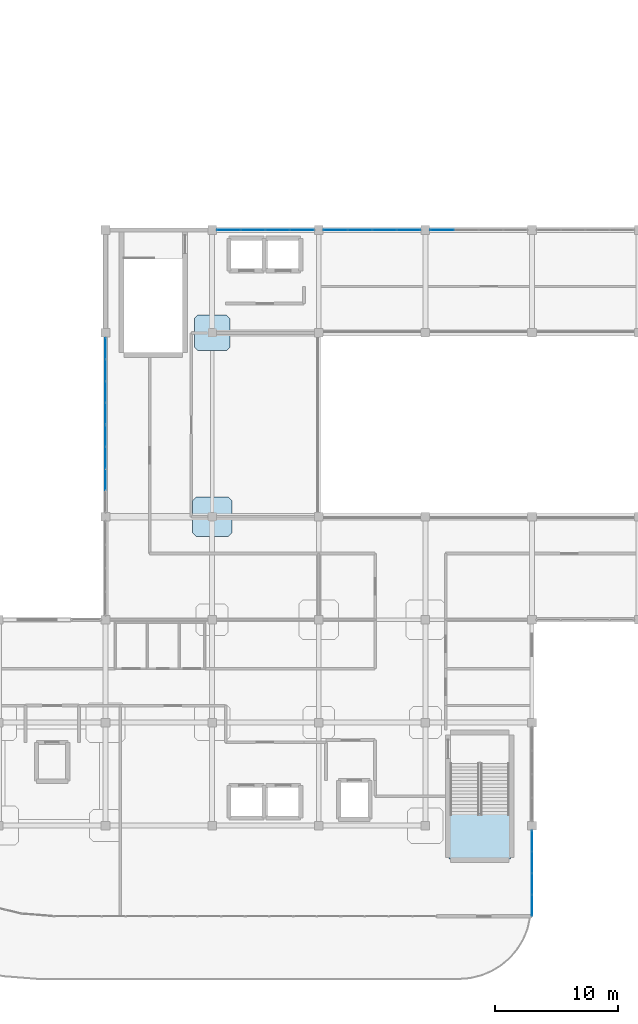
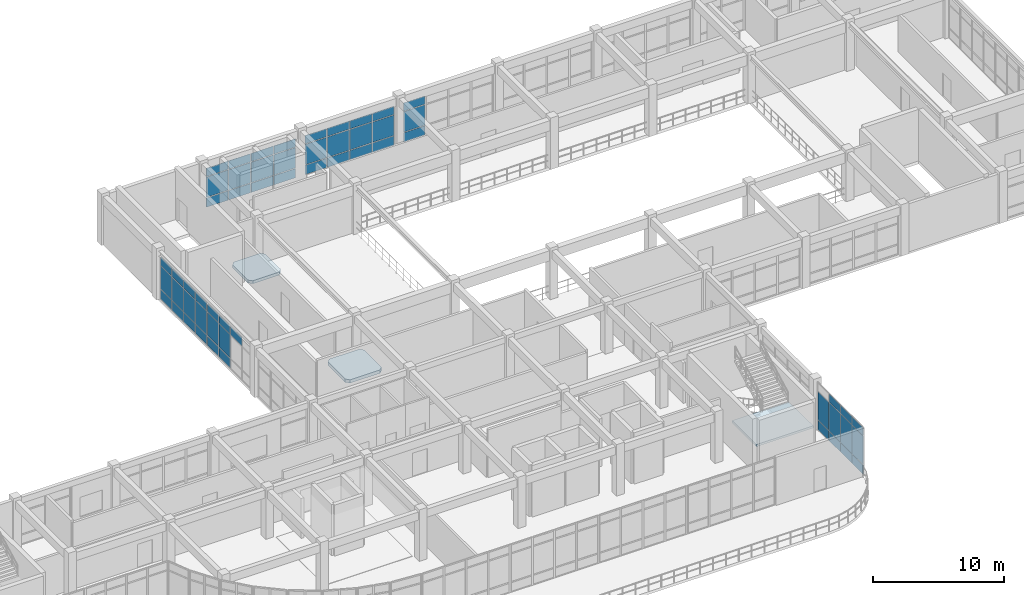
# One storey, part 49 of 64: 57 plates, 3 slabs, 7 elements without a shape of their own.
"""IFC4 building model written with IfcOpenShell, lengths in metres."""

from ifc_helpers import new_model, si_unit, derived_unit, direction, frame, origin, origin_2d, place, context, subcontext, project, spatial, polyline, rectangle, outline, extrude, material, layer, layer_set, type_object, element, aggregate, save


model = new_model("IFC4")

# Units and contexts
model_context = context("Model", 3, precision=1e-05, world=origin(), true_north=direction((0.0, 1.0)))
body_context = subcontext(model_context, "Body", "Model", "MODEL_VIEW")
ifc_project = project(units=[si_unit("LENGTHUNIT", "METRE"), si_unit("AREAUNIT", "SQUARE_METRE"), si_unit("VOLUMEUNIT", "CUBIC_METRE"), si_unit("PLANEANGLEUNIT", "RADIAN"), si_unit("MASSUNIT", "GRAM", prefix="KILO"), derived_unit("THERMALTRANSMITTANCEUNIT", [(si_unit("MASSUNIT", "GRAM", prefix="KILO"), 1), (si_unit("TIMEUNIT", "SECOND"), -3), (si_unit("THERMODYNAMICTEMPERATUREUNIT", "KELVIN"), -1)])], contexts=[model_context])

# Site, building, storey
site_placement = place(None, origin())
site = spatial("IfcSite", under=ifc_project, at=site_placement, CompositionType="ELEMENT")
building_placement = place(site_placement, origin())
building = spatial("IfcBuilding", under=site, at=building_placement, Name="Qinzheling Arcade Emporium", CompositionType="ELEMENT")
storey_placement = place(building_placement, frame((0.0, 0.0, 31.5)))
storey = spatial("IfcBuildingStorey", under=building, at=storey_placement, Name="L07", CompositionType="ELEMENT", Elevation=31.5)

# Slabs
ifc_material_1 = material(Name="Concrete C40", Category="concrete")
ifc_layer_1 = layer(ifc_material_1, 0.27001953125, Name="Concrete C40", Category="concrete")
ifc_layer_set_1 = layer_set([ifc_layer_1], Name="Concrete C40")
slab_type_1 = type_object("IfcSlabType", Name="Column Head Drop Panel 2900x2900x270 C40", PredefinedType="USERDEFINED", material=ifc_layer_set_1)
slab_1_placement = place(storey_placement, frame((0.0, 0.0, -0.550048828125)))
element("IfcSlab", 1, at=slab_1_placement, inside=storey, type_object=slab_type_1, Name="Column Drop Panel DP-L07-6-H", ObjectType="DROP_PANEL", PredefinedType="USERDEFINED", context=body_context, shape_type="SweptSolid", body=[
    extrude(outline(polyline([(42.330078125, 63.949951171875), (44.669921875, 63.949951171875), (44.949951171875, 64.22998046875), (44.949951171875, 66.570068359375), (44.669921875, 66.85009765625), (42.330078125, 66.85009765625), (42.050048828125, 66.570068359375), (42.050048828125, 64.22998046875), (42.330078125, 63.949951171875)])), origin(), (0.0, 0.0, 1.0), 0.27001953125),
])
ifc_layer_2 = layer(ifc_material_1, 0.300048828125, Name="Concrete C40", Category="concrete")
ifc_layer_set_2 = layer_set([ifc_layer_2], Name="Concrete C40")
slab_type_2 = type_object("IfcSlabType", Name="Column Head Drop Panel 3200x3200x300 C40", PredefinedType="USERDEFINED", material=ifc_layer_set_2)
slab_2_placement = place(storey_placement, frame((0.0, 0.0, -0.580078125)))
element("IfcSlab", 2, at=slab_2_placement, inside=storey, type_object=slab_type_2, Name="Column Drop Panel DP-L07-6-G", ObjectType="DROP_PANEL", PredefinedType="USERDEFINED", context=body_context, shape_type="SweptSolid", body=[
    extrude(outline(polyline([(42.179931640625, 48.800048828125), (44.820068359375, 48.800048828125), (45.10009765625, 49.080078125), (45.10009765625, 51.719970703125), (44.820068359375, 52.0), (42.179931640625, 52.0), (41.89990234375, 51.719970703125), (41.89990234375, 49.080078125), (42.179931640625, 48.800048828125)])), origin(), (0.0, 0.0, 1.0), 0.300048828125),
])

# Curtain wall, plates
ifc_material_2 = material(Name="Anodised aluminium and solar-control double glazing", Category="aluminium")
ifc_layer_3 = layer(ifc_material_2, 0.159912109375, Name="Anodised aluminium and solar-control double glazing", Category="aluminium")
ifc_layer_set_3 = layer_set([ifc_layer_3], Name="Anodised aluminium and solar-control double glazing")
curtain_wall_type_1 = type_object("IfcCurtainWallType", Name="Atrium Clerestory Curtain Wall", PredefinedType="NOTDEFINED", material=ifc_layer_set_3)
curtain_wall_1_placement = place(storey_placement, origin())
curtain_wall_1 = element("IfcCurtainWall", 3, at=curtain_wall_1_placement, inside=storey, type_object=curtain_wall_type_1, Name="Curtain Wall CW-L07-415", PredefinedType="NOTDEFINED")
ifc_material_3 = material(Name="Laminated solar-control double glazing", Category="glass")
ifc_layer_4 = layer(ifc_material_3, 0.027099609375, Name="Laminated solar-control double glazing", Category="glass")
ifc_layer_set_4 = layer_set([ifc_layer_4], Name="Laminated solar-control double glazing")
plate_type_1 = type_object("IfcPlateType", Name="Low-E Double Glazed Curtain Panel 27mm", PredefinedType="CURTAIN_PANEL", material=ifc_layer_set_4)
plate_1_placement = place(storey_placement, frame((34.800048828125, 53.431640625, 3.19677734375), z_axis=(0.0, 0.0, 1.0), x_axis=(0.0, 1.0, 0.0)))
plate_1 = element("IfcPlate", 4, at=plate_1_placement, type_object=plate_type_1, Name="CW03 panel 2.3", PredefinedType="CURTAIN_PANEL", context=body_context, shape_type="SweptSolid", body=[
    extrude(rectangle(XDim=1.7265625, YDim=0.027099609375, at=origin_2d()), origin(), (0.0, 0.0, 1.0), 0.760009765625),
])
plate_2_placement = place(storey_placement, frame((34.800048828125, 55.21826171875, 0.06005859375), z_axis=(0.0, 0.0, 1.0), x_axis=(0.0, 1.0, 0.0)))
plate_2 = element("IfcPlate", 5, at=plate_2_placement, type_object=plate_type_1, Name="CW03 panel 3.1", PredefinedType="CURTAIN_PANEL", context=body_context, shape_type="SweptSolid", body=[
    extrude(rectangle(XDim=1.7265625, YDim=0.027099609375, at=origin_2d()), origin(), (0.0, 0.0, 1.0), 0.860107421875),
])
plate_3_placement = place(storey_placement, frame((34.800048828125, 55.21826171875, 0.97998046875), z_axis=(0.0, 0.0, 1.0), x_axis=(0.0, 1.0, 0.0)))
plate_3 = element("IfcPlate", 6, at=plate_3_placement, type_object=plate_type_1, Name="CW03 panel 3.2", PredefinedType="CURTAIN_PANEL", context=body_context, shape_type="SweptSolid", body=[
    extrude(rectangle(XDim=1.7265625, YDim=0.027099609375, at=origin_2d()), origin(), (0.0, 0.0, 1.0), 2.156982421875),
])
plate_4_placement = place(storey_placement, frame((34.800048828125, 55.21826171875, 3.19677734375), z_axis=(0.0, 0.0, 1.0), x_axis=(0.0, 1.0, 0.0)))
plate_4 = element("IfcPlate", 7, at=plate_4_placement, type_object=plate_type_1, Name="CW03 panel 3.3", PredefinedType="CURTAIN_PANEL", context=body_context, shape_type="SweptSolid", body=[
    extrude(rectangle(XDim=1.7265625, YDim=0.027099609375, at=origin_2d()), origin(), (0.0, 0.0, 1.0), 0.760009765625),
])
plate_5_placement = place(storey_placement, frame((34.800048828125, 56.98974609375, 0.06005859375), z_axis=(0.0, 0.0, 1.0), x_axis=(0.0, 1.0, 0.0)))
plate_5 = element("IfcPlate", 8, at=plate_5_placement, type_object=plate_type_1, Name="CW03 panel 4.1", PredefinedType="CURTAIN_PANEL", context=body_context, shape_type="SweptSolid", body=[
    extrude(rectangle(XDim=1.696533203125, YDim=0.027099609375, at=origin_2d()), origin(), (0.0, 0.0, 1.0), 0.860107421875),
])
plate_6_placement = place(storey_placement, frame((34.800048828125, 56.98974609375, 0.97998046875), z_axis=(0.0, 0.0, 1.0), x_axis=(0.0, 1.0, 0.0)))
plate_6 = element("IfcPlate", 9, at=plate_6_placement, type_object=plate_type_1, Name="CW03 panel 4.2", PredefinedType="CURTAIN_PANEL", context=body_context, shape_type="SweptSolid", body=[
    extrude(rectangle(XDim=1.696533203125, YDim=0.027099609375, at=origin_2d()), origin(), (0.0, 0.0, 1.0), 2.156982421875),
])
plate_7_placement = place(storey_placement, frame((34.800048828125, 56.98974609375, 3.19677734375), z_axis=(0.0, 0.0, 1.0), x_axis=(0.0, 1.0, 0.0)))
plate_7 = element("IfcPlate", 10, at=plate_7_placement, type_object=plate_type_1, Name="CW03 panel 4.3", PredefinedType="CURTAIN_PANEL", context=body_context, shape_type="SweptSolid", body=[
    extrude(rectangle(XDim=1.696533203125, YDim=0.027099609375, at=origin_2d()), origin(), (0.0, 0.0, 1.0), 0.760009765625),
])
aggregate(curtain_wall_1, [plate_1, plate_2, plate_3, plate_4, plate_5, plate_6, plate_7])

curtain_wall_2_placement = place(storey_placement, origin())
curtain_wall_2 = element("IfcCurtainWall", 11, at=curtain_wall_2_placement, inside=storey, type_object=curtain_wall_type_1, Name="Curtain Wall CW-L07-416", PredefinedType="NOTDEFINED")
ifc_layer_5 = layer(ifc_material_3, 0.028076171875, Name="Laminated solar-control double glazing", Category="glass")
ifc_layer_set_5 = layer_set([ifc_layer_5], Name="Laminated solar-control double glazing")
plate_type_2 = type_object("IfcPlateType", Name="Low-E Double Glazed Curtain Panel 28mm", PredefinedType="CURTAIN_PANEL", material=ifc_layer_set_5)
plate_8_placement = place(storey_placement, frame((34.800048828125, 58.810302734375, 0.06005859375), z_axis=(0.0, 0.0, 1.0), x_axis=(0.0, 1.0, 0.0)))
plate_8 = element("IfcPlate", 12, at=plate_8_placement, type_object=plate_type_2, Name="CW03 panel 1.1", PredefinedType="CURTAIN_PANEL", context=body_context, shape_type="SweptSolid", body=[
    extrude(rectangle(XDim=1.696533203125, YDim=0.028076171875, at=origin_2d()), origin(), (0.0, 0.0, 1.0), 0.860107421875),
])
plate_9_placement = place(storey_placement, frame((34.800048828125, 58.810302734375, 0.97998046875), z_axis=(0.0, 0.0, 1.0), x_axis=(0.0, 1.0, 0.0)))
plate_9 = element("IfcPlate", 13, at=plate_9_placement, type_object=plate_type_2, Name="CW03 panel 1.2", PredefinedType="CURTAIN_PANEL", context=body_context, shape_type="SweptSolid", body=[
    extrude(rectangle(XDim=1.696533203125, YDim=0.028076171875, at=origin_2d()), origin(), (0.0, 0.0, 1.0), 2.156982421875),
])
plate_10_placement = place(storey_placement, frame((34.800048828125, 58.810302734375, 3.19677734375), z_axis=(0.0, 0.0, 1.0), x_axis=(0.0, 1.0, 0.0)))
plate_10 = element("IfcPlate", 14, at=plate_10_placement, type_object=plate_type_2, Name="CW03 panel 1.3", PredefinedType="CURTAIN_PANEL", context=body_context, shape_type="SweptSolid", body=[
    extrude(rectangle(XDim=1.696533203125, YDim=0.028076171875, at=origin_2d()), origin(), (0.0, 0.0, 1.0), 0.760009765625),
])
plate_11_placement = place(storey_placement, frame((34.800048828125, 60.581787109375, 0.06005859375), z_axis=(0.0, 0.0, 1.0), x_axis=(0.0, 1.0, 0.0)))
plate_11 = element("IfcPlate", 15, at=plate_11_placement, type_object=plate_type_2, Name="CW03 panel 2.1", PredefinedType="CURTAIN_PANEL", context=body_context, shape_type="SweptSolid", body=[
    extrude(rectangle(XDim=1.7265625, YDim=0.028076171875, at=origin_2d()), origin(), (0.0, 0.0, 1.0), 0.860107421875),
])
plate_12_placement = place(storey_placement, frame((34.800048828125, 60.581787109375, 0.97998046875), z_axis=(0.0, 0.0, 1.0), x_axis=(0.0, 1.0, 0.0)))
plate_12 = element("IfcPlate", 16, at=plate_12_placement, type_object=plate_type_2, Name="CW03 panel 2.2", PredefinedType="CURTAIN_PANEL", context=body_context, shape_type="SweptSolid", body=[
    extrude(rectangle(XDim=1.7265625, YDim=0.028076171875, at=origin_2d()), origin(), (0.0, 0.0, 1.0), 2.156982421875),
])
plate_13_placement = place(storey_placement, frame((34.800048828125, 60.581787109375, 3.19677734375), z_axis=(0.0, 0.0, 1.0), x_axis=(0.0, 1.0, 0.0)))
plate_13 = element("IfcPlate", 17, at=plate_13_placement, type_object=plate_type_2, Name="CW03 panel 2.3", PredefinedType="CURTAIN_PANEL", context=body_context, shape_type="SweptSolid", body=[
    extrude(rectangle(XDim=1.7265625, YDim=0.028076171875, at=origin_2d()), origin(), (0.0, 0.0, 1.0), 0.760009765625),
])
plate_14_placement = place(storey_placement, frame((34.800048828125, 62.3681640625, 0.06005859375), z_axis=(0.0, 0.0, 1.0), x_axis=(0.0, 1.0, 0.0)))
plate_14 = element("IfcPlate", 18, at=plate_14_placement, type_object=plate_type_2, Name="CW03 panel 3.1", PredefinedType="CURTAIN_PANEL", context=body_context, shape_type="SweptSolid", body=[
    extrude(rectangle(XDim=1.7265625, YDim=0.028076171875, at=origin_2d()), origin(), (0.0, 0.0, 1.0), 0.860107421875),
])
plate_15_placement = place(storey_placement, frame((34.800048828125, 62.3681640625, 0.97998046875), z_axis=(0.0, 0.0, 1.0), x_axis=(0.0, 1.0, 0.0)))
plate_15 = element("IfcPlate", 19, at=plate_15_placement, type_object=plate_type_2, Name="CW03 panel 3.2", PredefinedType="CURTAIN_PANEL", context=body_context, shape_type="SweptSolid", body=[
    extrude(rectangle(XDim=1.7265625, YDim=0.028076171875, at=origin_2d()), origin(), (0.0, 0.0, 1.0), 2.156982421875),
])
plate_16_placement = place(storey_placement, frame((34.800048828125, 62.3681640625, 3.19677734375), z_axis=(0.0, 0.0, 1.0), x_axis=(0.0, 1.0, 0.0)))
plate_16 = element("IfcPlate", 20, at=plate_16_placement, type_object=plate_type_2, Name="CW03 panel 3.3", PredefinedType="CURTAIN_PANEL", context=body_context, shape_type="SweptSolid", body=[
    extrude(rectangle(XDim=1.7265625, YDim=0.028076171875, at=origin_2d()), origin(), (0.0, 0.0, 1.0), 0.760009765625),
])
plate_17_placement = place(storey_placement, frame((34.800048828125, 64.1396484375, 0.06005859375), z_axis=(0.0, 0.0, 1.0), x_axis=(0.0, 1.0, 0.0)))
plate_17 = element("IfcPlate", 21, at=plate_17_placement, type_object=plate_type_2, Name="CW03 panel 4.1", PredefinedType="CURTAIN_PANEL", context=body_context, shape_type="SweptSolid", body=[
    extrude(rectangle(XDim=1.696533203125, YDim=0.028076171875, at=origin_2d()), origin(), (0.0, 0.0, 1.0), 0.860107421875),
])
plate_18_placement = place(storey_placement, frame((34.800048828125, 64.1396484375, 0.97998046875), z_axis=(0.0, 0.0, 1.0), x_axis=(0.0, 1.0, 0.0)))
plate_18 = element("IfcPlate", 22, at=plate_18_placement, type_object=plate_type_2, Name="CW03 panel 4.2", PredefinedType="CURTAIN_PANEL", context=body_context, shape_type="SweptSolid", body=[
    extrude(rectangle(XDim=1.696533203125, YDim=0.028076171875, at=origin_2d()), origin(), (0.0, 0.0, 1.0), 2.156982421875),
])
plate_19_placement = place(storey_placement, frame((34.800048828125, 64.1396484375, 3.19677734375), z_axis=(0.0, 0.0, 1.0), x_axis=(0.0, 1.0, 0.0)))
plate_19 = element("IfcPlate", 23, at=plate_19_placement, type_object=plate_type_2, Name="CW03 panel 4.3", PredefinedType="CURTAIN_PANEL", context=body_context, shape_type="SweptSolid", body=[
    extrude(rectangle(XDim=1.696533203125, YDim=0.028076171875, at=origin_2d()), origin(), (0.0, 0.0, 1.0), 0.760009765625),
])
aggregate(curtain_wall_2, [plate_8, plate_9, plate_10, plate_11, plate_12, plate_13, plate_14, plate_15, plate_16, plate_17, plate_18, plate_19])

ifc_layer_6 = layer(ifc_material_2, 0.159912109375, Name="Anodised aluminium and solar-control double glazing", Category="aluminium")
ifc_layer_set_6 = layer_set([ifc_layer_6], Name="Anodised aluminium and solar-control double glazing")
curtain_wall_type_2 = type_object("IfcCurtainWallType", Name="Arcade Portal Glazed Curtain Wall", PredefinedType="NOTDEFINED", material=ifc_layer_set_6)
curtain_wall_3_placement = place(storey_placement, origin())
curtain_wall_3 = element("IfcCurtainWall", 24, at=curtain_wall_3_placement, inside=storey, type_object=curtain_wall_type_2, Name="Curtain Wall CW-L07-432", PredefinedType="NOTDEFINED")
plate_20_placement = place(storey_placement, frame((69.60009765625, 23.951904296875, 0.06005859375), z_axis=(0.0, 0.0, 1.0), x_axis=(0.0, -1.0, 0.0)))
plate_20 = element("IfcPlate", 25, at=plate_20_placement, type_object=plate_type_2, Name="CW05 panel 1.1", PredefinedType="CURTAIN_PANEL", context=body_context, shape_type="SweptSolid", body=[
    extrude(rectangle(XDim=1.672119140625, YDim=0.028076171875, at=origin_2d()), origin(), (0.0, 0.0, 1.0), 0.860107421875),
])
plate_21_placement = place(storey_placement, frame((69.60009765625, 23.951904296875, 0.97998046875), z_axis=(0.0, 0.0, 1.0), x_axis=(0.0, -1.0, 0.0)))
plate_21 = element("IfcPlate", 26, at=plate_21_placement, type_object=plate_type_2, Name="CW05 panel 1.2", PredefinedType="CURTAIN_PANEL", context=body_context, shape_type="SweptSolid", body=[
    extrude(rectangle(XDim=1.672119140625, YDim=0.028076171875, at=origin_2d()), origin(), (0.0, 0.0, 1.0), 2.6298828125),
])
plate_22_placement = place(storey_placement, frame((69.60009765625, 22.205078125, 0.06005859375), z_axis=(0.0, 0.0, 1.0), x_axis=(0.0, -1.0, 0.0)))
plate_22 = element("IfcPlate", 27, at=plate_22_placement, type_object=plate_type_2, Name="CW05 panel 2.1", PredefinedType="CURTAIN_PANEL", context=body_context, shape_type="SweptSolid", body=[
    extrude(rectangle(XDim=1.701904296875, YDim=0.028076171875, at=origin_2d()), origin(), (0.0, 0.0, 1.0), 0.860107421875),
])
plate_23_placement = place(storey_placement, frame((69.60009765625, 22.205078125, 0.97998046875), z_axis=(0.0, 0.0, 1.0), x_axis=(0.0, -1.0, 0.0)))
plate_23 = element("IfcPlate", 28, at=plate_23_placement, type_object=plate_type_2, Name="CW05 panel 2.2", PredefinedType="CURTAIN_PANEL", context=body_context, shape_type="SweptSolid", body=[
    extrude(rectangle(XDim=1.701904296875, YDim=0.028076171875, at=origin_2d()), origin(), (0.0, 0.0, 1.0), 2.6298828125),
])
plate_24_placement = place(storey_placement, frame((69.60009765625, 22.205078125, 3.669921875), z_axis=(0.0, 0.0, 1.0), x_axis=(0.0, -1.0, 0.0)))
plate_24 = element("IfcPlate", 29, at=plate_24_placement, type_object=plate_type_2, Name="CW05 panel 2.3", PredefinedType="CURTAIN_PANEL", context=body_context, shape_type="SweptSolid", body=[
    extrude(rectangle(XDim=1.701904296875, YDim=0.028076171875, at=origin_2d()), origin(), (0.0, 0.0, 1.0), 0.760009765625),
])
plate_25_placement = place(storey_placement, frame((69.60009765625, 20.443115234375, 0.06005859375), z_axis=(0.0, 0.0, 1.0), x_axis=(0.0, -1.0, 0.0)))
plate_25 = element("IfcPlate", 30, at=plate_25_placement, type_object=plate_type_2, Name="CW05 panel 3.1", PredefinedType="CURTAIN_PANEL", context=body_context, shape_type="SweptSolid", body=[
    extrude(rectangle(XDim=1.701904296875, YDim=0.028076171875, at=origin_2d()), origin(), (0.0, 0.0, 1.0), 0.860107421875),
])
plate_26_placement = place(storey_placement, frame((69.60009765625, 20.443115234375, 0.97998046875), z_axis=(0.0, 0.0, 1.0), x_axis=(0.0, -1.0, 0.0)))
plate_26 = element("IfcPlate", 31, at=plate_26_placement, type_object=plate_type_2, Name="CW05 panel 3.2", PredefinedType="CURTAIN_PANEL", context=body_context, shape_type="SweptSolid", body=[
    extrude(rectangle(XDim=1.701904296875, YDim=0.028076171875, at=origin_2d()), origin(), (0.0, 0.0, 1.0), 2.6298828125),
])
plate_27_placement = place(storey_placement, frame((69.60009765625, 20.443115234375, 3.669921875), z_axis=(0.0, 0.0, 1.0), x_axis=(0.0, -1.0, 0.0)))
plate_27 = element("IfcPlate", 32, at=plate_27_placement, type_object=plate_type_2, Name="CW05 panel 3.3", PredefinedType="CURTAIN_PANEL", context=body_context, shape_type="SweptSolid", body=[
    extrude(rectangle(XDim=1.701904296875, YDim=0.028076171875, at=origin_2d()), origin(), (0.0, 0.0, 1.0), 0.760009765625),
])
plate_28_placement = place(storey_placement, frame((69.60009765625, 18.696044921875, 0.06005859375), z_axis=(0.0, 0.0, 1.0), x_axis=(0.0, -1.0, 0.0)))
plate_28 = element("IfcPlate", 33, at=plate_28_placement, type_object=plate_type_2, Name="CW05 panel 4.1", PredefinedType="CURTAIN_PANEL", context=body_context, shape_type="SweptSolid", body=[
    extrude(rectangle(XDim=1.672119140625, YDim=0.028076171875, at=origin_2d()), origin(), (0.0, 0.0, 1.0), 0.860107421875),
])
plate_29_placement = place(storey_placement, frame((69.60009765625, 18.696044921875, 0.97998046875), z_axis=(0.0, 0.0, 1.0), x_axis=(0.0, -1.0, 0.0)))
plate_29 = element("IfcPlate", 34, at=plate_29_placement, type_object=plate_type_2, Name="CW05 panel 4.2", PredefinedType="CURTAIN_PANEL", context=body_context, shape_type="SweptSolid", body=[
    extrude(rectangle(XDim=1.672119140625, YDim=0.028076171875, at=origin_2d()), origin(), (0.0, 0.0, 1.0), 2.6298828125),
])
plate_30_placement = place(storey_placement, frame((69.60009765625, 18.696044921875, 3.669921875), z_axis=(0.0, 0.0, 1.0), x_axis=(0.0, -1.0, 0.0)))
plate_30 = element("IfcPlate", 35, at=plate_30_placement, type_object=plate_type_2, Name="CW05 panel 4.3", PredefinedType="CURTAIN_PANEL", context=body_context, shape_type="SweptSolid", body=[
    extrude(rectangle(XDim=1.672119140625, YDim=0.028076171875, at=origin_2d()), origin(), (0.0, 0.0, 1.0), 0.760009765625),
])
aggregate(curtain_wall_3, [plate_20, plate_21, plate_22, plate_23, plate_24, plate_25, plate_26, plate_27, plate_28, plate_29, plate_30])

curtain_wall_4_placement = place(storey_placement, origin())
curtain_wall_4 = element("IfcCurtainWall", 36, at=curtain_wall_4_placement, inside=storey, type_object=curtain_wall_type_1, Name="Curtain Wall CW-L07-417", PredefinedType="NOTDEFINED")
ifc_layer_7 = layer(ifc_material_3, 0.029052734375, Name="Laminated solar-control double glazing", Category="glass")
ifc_layer_set_7 = layer_set([ifc_layer_7], Name="Laminated solar-control double glazing")
plate_type_3 = type_object("IfcPlateType", Name="Low-E Double Glazed Curtain Panel 29mm", PredefinedType="CURTAIN_PANEL", material=ifc_layer_set_7)
plate_31_placement = place(storey_placement, frame((44.866455078125, 73.800048828125, 0.06005859375), z_axis=(0.0, 0.0, 1.0), x_axis=(1.0, 0.0, 0.0)))
plate_31 = element("IfcPlate", 37, at=plate_31_placement, type_object=plate_type_3, Name="CW03 panel 1.1", PredefinedType="CURTAIN_PANEL", context=body_context, shape_type="SweptSolid", body=[
    extrude(rectangle(XDim=1.908935546875, YDim=0.029052734375, at=origin_2d()), origin(), (0.0, 0.0, 1.0), 0.860107421875),
])
plate_32_placement = place(storey_placement, frame((44.866455078125, 73.800048828125, 0.97998046875), z_axis=(0.0, 0.0, 1.0), x_axis=(1.0, 0.0, 0.0)))
plate_32 = element("IfcPlate", 38, at=plate_32_placement, type_object=plate_type_3, Name="CW03 panel 1.2", PredefinedType="CURTAIN_PANEL", context=body_context, shape_type="SweptSolid", body=[
    extrude(rectangle(XDim=1.908935546875, YDim=0.029052734375, at=origin_2d()), origin(), (0.0, 0.0, 1.0), 1.89501953125),
])
plate_33_placement = place(storey_placement, frame((44.866455078125, 73.800048828125, 2.93505859375), z_axis=(0.0, 0.0, 1.0), x_axis=(1.0, 0.0, 0.0)))
plate_33 = element("IfcPlate", 39, at=plate_33_placement, type_object=plate_type_3, Name="CW03 panel 1.3", PredefinedType="CURTAIN_PANEL", context=body_context, shape_type="SweptSolid", body=[
    extrude(rectangle(XDim=1.908935546875, YDim=0.029052734375, at=origin_2d()), origin(), (0.0, 0.0, 1.0), 0.760009765625),
])
plate_34_placement = place(storey_placement, frame((46.8505859375, 73.800048828125, 0.06005859375), z_axis=(0.0, 0.0, 1.0), x_axis=(1.0, 0.0, 0.0)))
plate_34 = element("IfcPlate", 40, at=plate_34_placement, type_object=plate_type_3, Name="CW03 panel 2.1", PredefinedType="CURTAIN_PANEL", context=body_context, shape_type="SweptSolid", body=[
    extrude(rectangle(XDim=1.93896484375, YDim=0.029052734375, at=origin_2d()), origin(), (0.0, 0.0, 1.0), 0.860107421875),
])
plate_35_placement = place(storey_placement, frame((46.8505859375, 73.800048828125, 0.97998046875), z_axis=(0.0, 0.0, 1.0), x_axis=(1.0, 0.0, 0.0)))
plate_35 = element("IfcPlate", 41, at=plate_35_placement, type_object=plate_type_3, Name="CW03 panel 2.2", PredefinedType="CURTAIN_PANEL", context=body_context, shape_type="SweptSolid", body=[
    extrude(rectangle(XDim=1.93896484375, YDim=0.029052734375, at=origin_2d()), origin(), (0.0, 0.0, 1.0), 1.89501953125),
])
plate_36_placement = place(storey_placement, frame((46.8505859375, 73.800048828125, 2.93505859375), z_axis=(0.0, 0.0, 1.0), x_axis=(1.0, 0.0, 0.0)))
plate_36 = element("IfcPlate", 42, at=plate_36_placement, type_object=plate_type_3, Name="CW03 panel 2.3", PredefinedType="CURTAIN_PANEL", context=body_context, shape_type="SweptSolid", body=[
    extrude(rectangle(XDim=1.93896484375, YDim=0.029052734375, at=origin_2d()), origin(), (0.0, 0.0, 1.0), 0.760009765625),
])
plate_37_placement = place(storey_placement, frame((48.849609375, 73.800048828125, 0.06005859375), z_axis=(0.0, 0.0, 1.0), x_axis=(1.0, 0.0, 0.0)))
plate_37 = element("IfcPlate", 43, at=plate_37_placement, type_object=plate_type_3, Name="CW03 panel 3.1", PredefinedType="CURTAIN_PANEL", context=body_context, shape_type="SweptSolid", body=[
    extrude(rectangle(XDim=1.93896484375, YDim=0.029052734375, at=origin_2d()), origin(), (0.0, 0.0, 1.0), 0.860107421875),
])
plate_38_placement = place(storey_placement, frame((48.849609375, 73.800048828125, 0.97998046875), z_axis=(0.0, 0.0, 1.0), x_axis=(1.0, 0.0, 0.0)))
plate_38 = element("IfcPlate", 44, at=plate_38_placement, type_object=plate_type_3, Name="CW03 panel 3.2", PredefinedType="CURTAIN_PANEL", context=body_context, shape_type="SweptSolid", body=[
    extrude(rectangle(XDim=1.93896484375, YDim=0.029052734375, at=origin_2d()), origin(), (0.0, 0.0, 1.0), 1.89501953125),
])
plate_39_placement = place(storey_placement, frame((48.849609375, 73.800048828125, 2.93505859375), z_axis=(0.0, 0.0, 1.0), x_axis=(1.0, 0.0, 0.0)))
plate_39 = element("IfcPlate", 45, at=plate_39_placement, type_object=plate_type_3, Name="CW03 panel 3.3", PredefinedType="CURTAIN_PANEL", context=body_context, shape_type="SweptSolid", body=[
    extrude(rectangle(XDim=1.93896484375, YDim=0.029052734375, at=origin_2d()), origin(), (0.0, 0.0, 1.0), 0.760009765625),
])
plate_40_placement = place(storey_placement, frame((50.83349609375, 73.800048828125, 0.06005859375), z_axis=(0.0, 0.0, 1.0), x_axis=(1.0, 0.0, 0.0)))
plate_40 = element("IfcPlate", 46, at=plate_40_placement, type_object=plate_type_3, Name="CW03 panel 4.1", PredefinedType="CURTAIN_PANEL", context=body_context, shape_type="SweptSolid", body=[
    extrude(rectangle(XDim=1.908935546875, YDim=0.029052734375, at=origin_2d()), origin(), (0.0, 0.0, 1.0), 0.860107421875),
])
plate_41_placement = place(storey_placement, frame((50.83349609375, 73.800048828125, 0.97998046875), z_axis=(0.0, 0.0, 1.0), x_axis=(1.0, 0.0, 0.0)))
plate_41 = element("IfcPlate", 47, at=plate_41_placement, type_object=plate_type_3, Name="CW03 panel 4.2", PredefinedType="CURTAIN_PANEL", context=body_context, shape_type="SweptSolid", body=[
    extrude(rectangle(XDim=1.908935546875, YDim=0.029052734375, at=origin_2d()), origin(), (0.0, 0.0, 1.0), 1.89501953125),
])
plate_42_placement = place(storey_placement, frame((50.83349609375, 73.800048828125, 2.93505859375), z_axis=(0.0, 0.0, 1.0), x_axis=(1.0, 0.0, 0.0)))
plate_42 = element("IfcPlate", 48, at=plate_42_placement, type_object=plate_type_3, Name="CW03 panel 4.3", PredefinedType="CURTAIN_PANEL", context=body_context, shape_type="SweptSolid", body=[
    extrude(rectangle(XDim=1.908935546875, YDim=0.029052734375, at=origin_2d()), origin(), (0.0, 0.0, 1.0), 0.760009765625),
])
aggregate(curtain_wall_4, [plate_31, plate_32, plate_33, plate_34, plate_35, plate_36, plate_37, plate_38, plate_39, plate_40, plate_41, plate_42])

curtain_wall_5_placement = place(storey_placement, origin())
curtain_wall_5 = element("IfcCurtainWall", 49, at=curtain_wall_5_placement, inside=storey, type_object=curtain_wall_type_1, Name="Curtain Wall CW-L07-418", PredefinedType="NOTDEFINED")
ifc_layer_8 = layer(ifc_material_3, 0.030029296875, Name="Laminated solar-control double glazing", Category="glass")
ifc_layer_set_8 = layer_set([ifc_layer_8], Name="Laminated solar-control double glazing")
plate_type_4 = type_object("IfcPlateType", Name="Low-E Double Glazed Curtain Panel 30mm", PredefinedType="CURTAIN_PANEL", material=ifc_layer_set_8)
plate_43_placement = place(storey_placement, frame((53.56640625, 73.800048828125, 0.06005859375), z_axis=(0.0, 0.0, 1.0), x_axis=(1.0, 0.0, 0.0)))
plate_43 = element("IfcPlate", 50, at=plate_43_placement, type_object=plate_type_4, Name="CW03 panel 1.1", PredefinedType="CURTAIN_PANEL", context=body_context, shape_type="SweptSolid", body=[
    extrude(rectangle(XDim=1.908935546875, YDim=0.030029296875, at=origin_2d()), origin(), (0.0, 0.0, 1.0), 0.860107421875),
])
plate_44_placement = place(storey_placement, frame((53.56640625, 73.800048828125, 0.97998046875), z_axis=(0.0, 0.0, 1.0), x_axis=(1.0, 0.0, 0.0)))
plate_44 = element("IfcPlate", 51, at=plate_44_placement, type_object=plate_type_4, Name="CW03 panel 1.2", PredefinedType="CURTAIN_PANEL", context=body_context, shape_type="SweptSolid", body=[
    extrude(rectangle(XDim=1.908935546875, YDim=0.030029296875, at=origin_2d()), origin(), (0.0, 0.0, 1.0), 1.89501953125),
])
plate_45_placement = place(storey_placement, frame((53.56640625, 73.800048828125, 2.93505859375), z_axis=(0.0, 0.0, 1.0), x_axis=(1.0, 0.0, 0.0)))
plate_45 = element("IfcPlate", 52, at=plate_45_placement, type_object=plate_type_4, Name="CW03 panel 1.3", PredefinedType="CURTAIN_PANEL", context=body_context, shape_type="SweptSolid", body=[
    extrude(rectangle(XDim=1.908935546875, YDim=0.030029296875, at=origin_2d()), origin(), (0.0, 0.0, 1.0), 0.760009765625),
])
plate_46_placement = place(storey_placement, frame((55.550537109375, 73.800048828125, 0.06005859375), z_axis=(0.0, 0.0, 1.0), x_axis=(1.0, 0.0, 0.0)))
plate_46 = element("IfcPlate", 53, at=plate_46_placement, type_object=plate_type_4, Name="CW03 panel 2.1", PredefinedType="CURTAIN_PANEL", context=body_context, shape_type="SweptSolid", body=[
    extrude(rectangle(XDim=1.93896484375, YDim=0.030029296875, at=origin_2d()), origin(), (0.0, 0.0, 1.0), 0.860107421875),
])
plate_47_placement = place(storey_placement, frame((55.550537109375, 73.800048828125, 0.97998046875), z_axis=(0.0, 0.0, 1.0), x_axis=(1.0, 0.0, 0.0)))
plate_47 = element("IfcPlate", 54, at=plate_47_placement, type_object=plate_type_4, Name="CW03 panel 2.2", PredefinedType="CURTAIN_PANEL", context=body_context, shape_type="SweptSolid", body=[
    extrude(rectangle(XDim=1.93896484375, YDim=0.030029296875, at=origin_2d()), origin(), (0.0, 0.0, 1.0), 1.89501953125),
])
plate_48_placement = place(storey_placement, frame((55.550537109375, 73.800048828125, 2.93505859375), z_axis=(0.0, 0.0, 1.0), x_axis=(1.0, 0.0, 0.0)))
plate_48 = element("IfcPlate", 55, at=plate_48_placement, type_object=plate_type_4, Name="CW03 panel 2.3", PredefinedType="CURTAIN_PANEL", context=body_context, shape_type="SweptSolid", body=[
    extrude(rectangle(XDim=1.93896484375, YDim=0.030029296875, at=origin_2d()), origin(), (0.0, 0.0, 1.0), 0.760009765625),
])
plate_49_placement = place(storey_placement, frame((57.549560546875, 73.800048828125, 0.06005859375), z_axis=(0.0, 0.0, 1.0), x_axis=(1.0, 0.0, 0.0)))
plate_49 = element("IfcPlate", 56, at=plate_49_placement, type_object=plate_type_4, Name="CW03 panel 3.1", PredefinedType="CURTAIN_PANEL", context=body_context, shape_type="SweptSolid", body=[
    extrude(rectangle(XDim=1.93896484375, YDim=0.030029296875, at=origin_2d()), origin(), (0.0, 0.0, 1.0), 0.860107421875),
])
plate_50_placement = place(storey_placement, frame((57.549560546875, 73.800048828125, 0.97998046875), z_axis=(0.0, 0.0, 1.0), x_axis=(1.0, 0.0, 0.0)))
plate_50 = element("IfcPlate", 57, at=plate_50_placement, type_object=plate_type_4, Name="CW03 panel 3.2", PredefinedType="CURTAIN_PANEL", context=body_context, shape_type="SweptSolid", body=[
    extrude(rectangle(XDim=1.93896484375, YDim=0.030029296875, at=origin_2d()), origin(), (0.0, 0.0, 1.0), 1.89501953125),
])
plate_51_placement = place(storey_placement, frame((57.549560546875, 73.800048828125, 2.93505859375), z_axis=(0.0, 0.0, 1.0), x_axis=(1.0, 0.0, 0.0)))
plate_51 = element("IfcPlate", 58, at=plate_51_placement, type_object=plate_type_4, Name="CW03 panel 3.3", PredefinedType="CURTAIN_PANEL", context=body_context, shape_type="SweptSolid", body=[
    extrude(rectangle(XDim=1.93896484375, YDim=0.030029296875, at=origin_2d()), origin(), (0.0, 0.0, 1.0), 0.760009765625),
])
plate_52_placement = place(storey_placement, frame((59.533447265625, 73.800048828125, 0.06005859375), z_axis=(0.0, 0.0, 1.0), x_axis=(1.0, 0.0, 0.0)))
plate_52 = element("IfcPlate", 59, at=plate_52_placement, type_object=plate_type_4, Name="CW03 panel 4.1", PredefinedType="CURTAIN_PANEL", context=body_context, shape_type="SweptSolid", body=[
    extrude(rectangle(XDim=1.908935546875, YDim=0.030029296875, at=origin_2d()), origin(), (0.0, 0.0, 1.0), 0.860107421875),
])
plate_53_placement = place(storey_placement, frame((59.533447265625, 73.800048828125, 0.97998046875), z_axis=(0.0, 0.0, 1.0), x_axis=(1.0, 0.0, 0.0)))
plate_53 = element("IfcPlate", 60, at=plate_53_placement, type_object=plate_type_4, Name="CW03 panel 4.2", PredefinedType="CURTAIN_PANEL", context=body_context, shape_type="SweptSolid", body=[
    extrude(rectangle(XDim=1.908935546875, YDim=0.030029296875, at=origin_2d()), origin(), (0.0, 0.0, 1.0), 1.89501953125),
])
plate_54_placement = place(storey_placement, frame((59.533447265625, 73.800048828125, 2.93505859375), z_axis=(0.0, 0.0, 1.0), x_axis=(1.0, 0.0, 0.0)))
plate_54 = element("IfcPlate", 61, at=plate_54_placement, type_object=plate_type_4, Name="CW03 panel 4.3", PredefinedType="CURTAIN_PANEL", context=body_context, shape_type="SweptSolid", body=[
    extrude(rectangle(XDim=1.908935546875, YDim=0.030029296875, at=origin_2d()), origin(), (0.0, 0.0, 1.0), 0.760009765625),
])
aggregate(curtain_wall_5, [plate_43, plate_44, plate_45, plate_46, plate_47, plate_48, plate_49, plate_50, plate_51, plate_52, plate_53, plate_54])

curtain_wall_6_placement = place(storey_placement, origin())
curtain_wall_6 = element("IfcCurtainWall", 62, at=curtain_wall_6_placement, inside=storey, type_object=curtain_wall_type_1, Name="Curtain Wall CW-L07-419", PredefinedType="NOTDEFINED")
ifc_layer_9 = layer(ifc_material_3, 0.031005859375, Name="Laminated solar-control double glazing", Category="glass")
ifc_layer_set_9 = layer_set([ifc_layer_9], Name="Laminated solar-control double glazing")
plate_type_5 = type_object("IfcPlateType", Name="Low-E Double Glazed Curtain Panel 31mm", PredefinedType="CURTAIN_PANEL", material=ifc_layer_set_9)
plate_55_placement = place(storey_placement, frame((62.2666015625, 73.800048828125, 0.06005859375), z_axis=(0.0, 0.0, 1.0), x_axis=(1.0, 0.0, 0.0)))
plate_55 = element("IfcPlate", 63, at=plate_55_placement, type_object=plate_type_5, Name="CW03 panel 1.1", PredefinedType="CURTAIN_PANEL", context=body_context, shape_type="SweptSolid", body=[
    extrude(rectangle(XDim=1.908935546875, YDim=0.031005859375, at=origin_2d()), origin(), (0.0, 0.0, 1.0), 0.860107421875),
])
plate_56_placement = place(storey_placement, frame((62.2666015625, 73.800048828125, 0.97998046875), z_axis=(0.0, 0.0, 1.0), x_axis=(1.0, 0.0, 0.0)))
plate_56 = element("IfcPlate", 64, at=plate_56_placement, type_object=plate_type_5, Name="CW03 panel 1.2", PredefinedType="CURTAIN_PANEL", context=body_context, shape_type="SweptSolid", body=[
    extrude(rectangle(XDim=1.908935546875, YDim=0.031005859375, at=origin_2d()), origin(), (0.0, 0.0, 1.0), 1.89501953125),
])
plate_57_placement = place(storey_placement, frame((62.2666015625, 73.800048828125, 2.93505859375), z_axis=(0.0, 0.0, 1.0), x_axis=(1.0, 0.0, 0.0)))
plate_57 = element("IfcPlate", 65, at=plate_57_placement, type_object=plate_type_5, Name="CW03 panel 1.3", PredefinedType="CURTAIN_PANEL", context=body_context, shape_type="SweptSolid", body=[
    extrude(rectangle(XDim=1.908935546875, YDim=0.031005859375, at=origin_2d()), origin(), (0.0, 0.0, 1.0), 0.760009765625),
])
aggregate(curtain_wall_6, [plate_55, plate_56, plate_57])

# Stair, slab
stair_type = type_object("IfcStairType", Name="Cast-in-Situ Dog-Leg Escape Stair H4800", PredefinedType="HALF_TURN_STAIR", material=ifc_material_1)
stair_placement = place(storey_placement, origin())
stair = element("IfcStair", 66, at=stair_placement, inside=storey, type_object=stair_type, Name="L07 ST01", PredefinedType="HALF_TURN_STAIR")
ifc_layer_10 = layer(ifc_material_1, 0.199951171875, Name="Concrete C40", Category="concrete")
ifc_layer_set_10 = layer_set([ifc_layer_10], Name="Concrete C40")
slab_type_3 = type_object("IfcSlabType", Name="Stair Half-Turn Landing Slab 200 C40", PredefinedType="LANDING", material=ifc_layer_set_10)
slab_3_placement = place(storey_placement, frame((0.0, 0.0, 2.199951171875)))
slab_3 = element("IfcSlab", 67, at=slab_3_placement, type_object=slab_type_3, Name="ST01 landing 1", PredefinedType="LANDING", context=body_context, shape_type="SweptSolid", body=[
    extrude(outline(polyline([(62.830078125, 26.199951171875), (67.860107421875, 26.199951171875), (67.860107421875, 22.47998046875), (62.830078125, 22.47998046875), (62.830078125, 26.199951171875)])), origin(), (0.0, 0.0, 1.0), 0.199951171875),
])
aggregate(stair, [slab_3])

save(model, "model.ifc")
